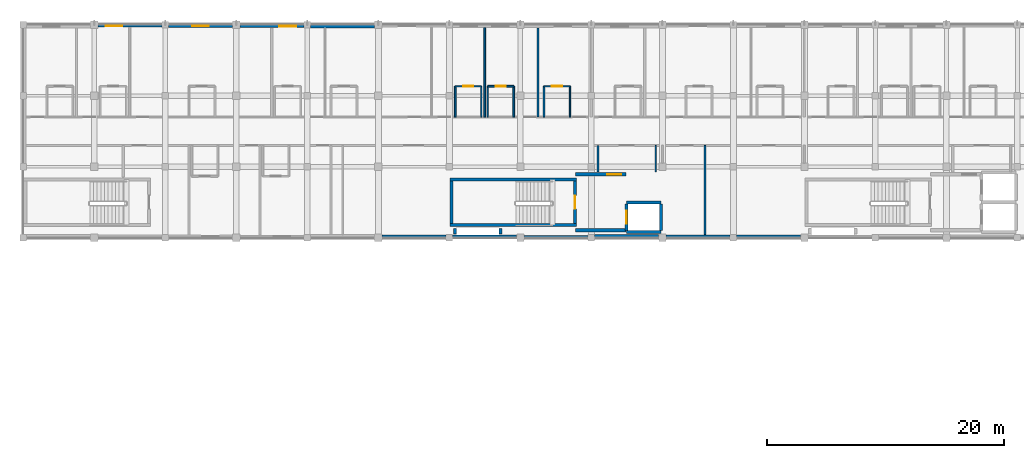
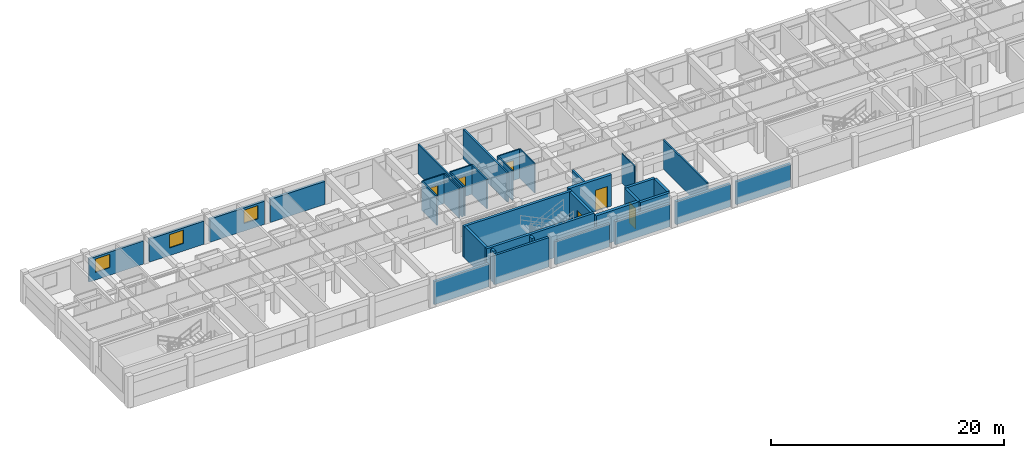
# One storey, part 10 of 22: 36 walls, 6 doors, 3 windows, 9 openings.
"""IFC4 building model written with IfcOpenShell, lengths in metres."""

from ifc_helpers import new_model, si_unit, direction, frame, frame_2d, origin, place, context, subcontext, project, spatial, rectangle, extrude, material, layer, layer_set, type_object, element, fill, save


model = new_model("IFC4")

# Units and contexts
model_context = context("Model", 3, precision=1e-05, world=origin(), true_north=direction((0.0, 1.0)))
body_context = subcontext(model_context, "Body", "Model", "MODEL_VIEW")
ifc_project = project(units=[si_unit("LENGTHUNIT", "METRE"), si_unit("AREAUNIT", "SQUARE_METRE"), si_unit("VOLUMEUNIT", "CUBIC_METRE"), si_unit("PLANEANGLEUNIT", "RADIAN"), si_unit("MASSUNIT", "GRAM", prefix="KILO"), si_unit("THERMODYNAMICTEMPERATUREUNIT", "KELVIN"), si_unit("POWERUNIT", "WATT")], contexts=[model_context])

# Site, building, storey
site_placement = place(None, origin())
site = spatial("IfcSite", under=ifc_project, at=site_placement, CompositionType="ELEMENT")
building_placement = place(site_placement, origin())
building = spatial("IfcBuilding", under=site, at=building_placement, Name="Phaisarnlok Congress Hotel", CompositionType="ELEMENT")
storey_placement = place(building_placement, frame((0.0, 0.0, 28.199951171875)))
storey = spatial("IfcBuildingStorey", under=building, at=storey_placement, Name="L06", CompositionType="ELEMENT", Elevation=28.199951171875)

# Wall, opening, window
ifc_material_1 = material(Name="Concrete C40/50", Category="concrete")
ifc_layer_1 = layer(ifc_material_1, 0.2099609375, Name="Concrete C40/50")
ifc_layer_set_1 = layer_set([ifc_layer_1], Name="Concrete C40/50")
wall_type_1 = type_object("IfcWallType", Name="WL-EXT-210", PredefinedType="SOLIDWALL", material=ifc_layer_set_1)
wall_1_placement = place(storey_placement, frame((77.719970703125, 125.89501953125, 0.0), z_axis=(0.0, 0.0, 1.0), x_axis=(-1.0, 0.0, 0.0)))
wall_1 = element("IfcWall", 1, at=wall_1_placement, inside=storey, type_object=wall_type_1, Name="Exterior wall EW-07 (L06)", PredefinedType="SOLIDWALL", context=body_context, shape_type="SweptSolid", body=[
    extrude(rectangle(XDim=5.4150390625, YDim=0.2099609375, at=frame_2d((2.70751953125, 0.0))), origin(), (0.0, 0.0, 1.0), 2.429931640625),
])
opening_1_placement = place(wall_1_placement, frame((3.35791015625, 0.0, 0.800048828125)))
opening_1 = element("IfcOpeningElement", 2, at=opening_1_placement, cuts=wall_1, Name="Opening W-13", PredefinedType="OPENING", context=body_context, shape_type="SweptSolid", body=[
    extrude(rectangle(XDim=1.39990234375, YDim=1.39990234375, at=frame_2d((0.699951171875, 0.699951171875))), frame((0.0, 0.114990234375, 0.0), z_axis=(0.0, -1.0, 0.0), x_axis=(1.0, 0.0, 0.0)), (0.0, 0.0, 1.0), 0.22998046875),
])
ifc_material_2 = material(Name="Thermally Broken Aluminium & Low-E Double Glazing", Category="aluminium")
window_type = type_object("IfcWindowType", Name="WIN-POD-1400", PartitioningType="SINGLE_PANEL", PredefinedType="WINDOW", material=ifc_material_2)
window_1_placement = place(opening_1_placement, origin())
window_1 = element("IfcWindow", 3, at=window_1_placement, inside=storey, type_object=window_type, Name="Guestroom window W-13 (L06)", OverallHeight=1.39990234375, OverallWidth=1.39990234375, PartitioningType="SINGLE_PANEL", PredefinedType="WINDOW", context=body_context, shape_type="SweptSolid", body=[
    extrude(rectangle(XDim=1.39990234375, YDim=1.39990234375, at=frame_2d((0.699951171875, 0.699951171875))), frame((0.0, 0.030029296875, 0.0), z_axis=(0.0, -1.0, 0.0), x_axis=(1.0, 0.0, 0.0)), (0.0, 0.0, 1.0), 0.06005859375),
])
fill(opening_1, window_1)

# Wall
wall_2_placement = place(storey_placement, frame((108.304931640625, 108.10498046875, 0.0), z_axis=(0.0, 0.0, 1.0), x_axis=(1.0, 0.0, 0.0)))
element("IfcWall", 4, at=wall_2_placement, inside=storey, type_object=wall_type_1, Name="Exterior wall EW-07 (L06)", PredefinedType="SOLIDWALL", context=body_context, shape_type="SweptSolid", body=[
    extrude(rectangle(XDim=5.4150390625, YDim=0.2099609375, at=frame_2d((2.70751953125, 0.0))), origin(), (0.0, 0.0, 1.0), 2.429931640625),
])

# Wall, opening, window
ifc_layer_2 = layer(ifc_material_1, 0.22998046875, Name="Concrete C40/50")
ifc_layer_set_2 = layer_set([ifc_layer_2], Name="Concrete C40/50")
wall_type_2 = type_object("IfcWallType", Name="WL-EXT-230", PredefinedType="SOLIDWALL", material=ifc_layer_set_2)
wall_3_placement = place(storey_placement, frame((83.695068359375, 125.885009765625, 0.0), z_axis=(0.0, 0.0, 1.0), x_axis=(-1.0, 0.0, 0.0)))
wall_3 = element("IfcWall", 5, at=wall_3_placement, inside=storey, type_object=wall_type_2, Name="Exterior wall EW-06 (L06)", PredefinedType="SOLIDWALL", context=body_context, shape_type="SweptSolid", body=[
    extrude(rectangle(XDim=5.4150390625, YDim=0.22998046875, at=frame_2d((2.70751953125, 0.0))), origin(), (0.0, 0.0, 1.0), 2.429931640625),
])
opening_2_placement = place(wall_3_placement, frame((2.007080078125, 0.0, 0.800048828125)))
opening_2 = element("IfcOpeningElement", 6, at=opening_2_placement, cuts=wall_3, Name="Opening W-13", PredefinedType="OPENING", context=body_context, shape_type="SweptSolid", body=[
    extrude(rectangle(XDim=1.39990234375, YDim=1.39990234375, at=frame_2d((0.699951171875, 0.699951171875))), frame((0.0, 0.125, 0.0), z_axis=(0.0, -1.0, 0.0), x_axis=(1.0, 0.0, 0.0)), (0.0, 0.0, 1.0), 0.25),
])
window_2_placement = place(opening_2_placement, origin())
window_2 = element("IfcWindow", 7, at=window_2_placement, inside=storey, type_object=window_type, Name="Guestroom window W-13 (L06)", OverallHeight=1.39990234375, OverallWidth=1.39990234375, PartitioningType="SINGLE_PANEL", PredefinedType="WINDOW", context=body_context, shape_type="SweptSolid", body=[
    extrude(rectangle(XDim=1.39990234375, YDim=1.39990234375, at=frame_2d((0.699951171875, 0.699951171875))), frame((0.0, 0.030029296875, 0.0), z_axis=(0.0, -1.0, 0.0), x_axis=(1.0, 0.0, 0.0)), (0.0, 0.0, 1.0), 0.06005859375),
])
fill(opening_2, window_2)

# Walls
wall_4_placement = place(storey_placement, frame((102.280029296875, 108.114990234375, 0.0), z_axis=(0.0, 0.0, 1.0), x_axis=(1.0, 0.0, 0.0)))
element("IfcWall", 8, at=wall_4_placement, inside=storey, type_object=wall_type_2, Name="Exterior wall EW-06 (L06)", PredefinedType="SOLIDWALL", context=body_context, shape_type="SweptSolid", body=[
    extrude(rectangle(XDim=5.4150390625, YDim=0.22998046875, at=frame_2d((2.70751953125, 0.0))), origin(), (0.0, 0.0, 1.0), 3.080078125),
])
wall_5_placement = place(storey_placement, frame((126.280029296875, 108.114990234375, 0.0), z_axis=(0.0, 0.0, 1.0), x_axis=(1.0, 0.0, 0.0)))
element("IfcWall", 9, at=wall_5_placement, inside=storey, type_object=wall_type_2, Name="Exterior wall EW-06 (L06)", PredefinedType="SOLIDWALL", context=body_context, shape_type="SweptSolid", body=[
    extrude(rectangle(XDim=5.4150390625, YDim=0.22998046875, at=frame_2d((2.70751953125, 0.0))), origin(), (0.0, 0.0, 1.0), 2.429931640625),
])

# Wall, opening, window
ifc_layer_3 = layer(ifc_material_1, 0.25, Name="Concrete C40/50")
ifc_layer_set_3 = layer_set([ifc_layer_3], Name="Concrete C40/50")
wall_type_3 = type_object("IfcWallType", Name="WL-EXT-250", PredefinedType="SOLIDWALL", material=ifc_layer_set_3)
wall_6_placement = place(storey_placement, frame((89.719970703125, 125.875, 0.0), z_axis=(0.0, 0.0, 1.0), x_axis=(-1.0, 0.0, 0.0)))
wall_6 = element("IfcWall", 10, at=wall_6_placement, inside=storey, type_object=wall_type_3, Name="Exterior wall EW-05 (L06)", PredefinedType="SOLIDWALL", context=body_context, shape_type="SweptSolid", body=[
    extrude(rectangle(XDim=5.4150390625, YDim=0.25, at=frame_2d((2.70751953125, 0.0))), origin(), (0.0, 0.0, 1.0), 2.429931640625),
])
opening_3_placement = place(wall_6_placement, frame((0.669921875, 0.0, 0.800048828125)))
opening_3 = element("IfcOpeningElement", 11, at=opening_3_placement, cuts=wall_6, Name="Opening W-13", PredefinedType="OPENING", context=body_context, shape_type="SweptSolid", body=[
    extrude(rectangle(XDim=1.39990234375, YDim=1.39990234375, at=frame_2d((0.699951171875, 0.699951171875))), frame((0.0, 0.135009765625, 0.0), z_axis=(0.0, -1.0, 0.0), x_axis=(1.0, 0.0, 0.0)), (0.0, 0.0, 1.0), 0.27001953125),
])
window_3_placement = place(opening_3_placement, origin())
window_3 = element("IfcWindow", 12, at=window_3_placement, inside=storey, type_object=window_type, Name="Guestroom window W-13 (L06)", OverallHeight=1.39990234375, OverallWidth=1.39990234375, PartitioningType="SINGLE_PANEL", PredefinedType="WINDOW", context=body_context, shape_type="SweptSolid", body=[
    extrude(rectangle(XDim=1.39990234375, YDim=1.39990234375, at=frame_2d((0.699951171875, 0.699951171875))), frame((0.0, 0.030029296875, 0.0), z_axis=(0.0, -1.0, 0.0), x_axis=(1.0, 0.0, 0.0)), (0.0, 0.0, 1.0), 0.06005859375),
])
fill(opening_3, window_3)

# Walls
for number, where, z_axis, x_axis, name in (
    (13, (96.304931640625, 108.125, 0.0), (0.0, 0.0, 1.0), (1.0, 0.0, 0.0), "Exterior wall EW-05 (L06)"),
    (14, (120.304931640625, 108.125, 0.0), (0.0, 0.0, 1.0), (1.0, 0.0, 0.0), "Exterior wall EW-05 (L06)"),
):
    element("IfcWall", number, at=place(storey_placement, frame(where, z_axis=z_axis, x_axis=x_axis)), inside=storey, type_object=wall_type_3, Name=name, PredefinedType="SOLIDWALL", context=body_context, shape_type="SweptSolid", body=[
        extrude(rectangle(XDim=5.4150390625, YDim=0.25, at=frame_2d((2.70751953125, 0.0))), origin(), (0.0, 0.0, 1.0), 2.429931640625),
    ])
ifc_layer_4 = layer(ifc_material_1, 0.27001953125, Name="Concrete C40/50")
ifc_layer_set_4 = layer_set([ifc_layer_4], Name="Concrete C40/50")
wall_type_4 = type_object("IfcWallType", Name="WL-EXT-270", PredefinedType="SOLIDWALL", material=ifc_layer_set_4)
for number, where, z_axis, x_axis, name in (
    (15, (95.695068359375, 125.864990234375, 0.0), (0.0, 0.0, 1.0), (-1.0, 0.0, 0.0), "Exterior wall EW-04 (L06)"),
    (16, (114.280029296875, 108.135009765625, 0.0), (0.0, 0.0, 1.0), (1.0, 0.0, 0.0), "Exterior wall EW-04 (L06)"),
):
    element("IfcWall", number, at=place(storey_placement, frame(where, z_axis=z_axis, x_axis=x_axis)), inside=storey, type_object=wall_type_4, Name=name, PredefinedType="SOLIDWALL", context=body_context, shape_type="SweptSolid", body=[
        extrude(rectangle(XDim=5.4150390625, YDim=0.27001953125, at=frame_2d((2.70751953125, 0.0))), origin(), (0.0, 0.0, 1.0), 2.429931640625),
    ])
ifc_material_3 = material(Name="Service Riser Shaftwall Partition", Category="gypsum")
ifc_layer_5 = layer(ifc_material_3, 0.10498046875, Name="Service Riser Shaftwall Partition")
ifc_layer_set_5 = layer_set([ifc_layer_5], Name="Service Riser Shaftwall Partition")
wall_type_5 = type_object("IfcWallType", Name="WL-INT-105", PredefinedType="PARTITIONING", material=ifc_layer_set_5)
wall_7_placement = place(storey_placement, frame((119.449951171875, 113.56005859375, 0.0), z_axis=(0.0, 0.0, 1.0), x_axis=(0.0, 1.0, 0.0)))
element("IfcWall", 17, at=wall_7_placement, inside=storey, type_object=wall_type_5, Name="Interior partition wall IW-08 (L06)", PredefinedType="PARTITIONING", context=body_context, shape_type="SweptSolid", body=[
    extrude(rectangle(XDim=2.239990234375, YDim=0.10498046875, at=frame_2d((1.1201171875, 0.0))), origin(), (0.0, 0.0, 1.0), 3.080078125),
])
ifc_material_4 = material(Name="Lightweight Metal-Stud Gypsum Partition", Category="gypsum")
ifc_layer_6 = layer(ifc_material_4, 0.1201171875, Name="Lightweight Metal-Stud Gypsum Partition")
ifc_layer_set_6 = layer_set([ifc_layer_6], Name="Lightweight Metal-Stud Gypsum Partition")
wall_type_6 = type_object("IfcWallType", Name="WL-INT-120", PredefinedType="PARTITIONING", material=ifc_layer_set_6)
for number, where, z_axis, x_axis, name in (
    (18, (104.699951171875, 118.199951171875, 0.0), (0.0, 0.0, 1.0), (0.0, 1.0, 0.0), "Interior partition wall IW-07 (L06)"),
    (19, (105.25, 118.199951171875, 0.0), (0.0, 0.0, 1.0), (0.0, 1.0, 0.0), "Interior partition wall IW-07 (L06)"),
    (20, (112.199951171875, 118.199951171875, 0.0), (0.0, 0.0, 1.0), (0.0, 1.0, 0.0), "Interior partition wall IW-07 (L06)"),
):
    element("IfcWall", number, at=place(storey_placement, frame(where, z_axis=z_axis, x_axis=x_axis)), inside=storey, type_object=wall_type_6, Name=name, PredefinedType="PARTITIONING", context=body_context, shape_type="SweptSolid", body=[
        extrude(rectangle(XDim=2.60009765625, YDim=0.1201171875, at=frame_2d((1.300048828125, 0.0))), origin(), (0.0, 0.0, 1.0), 3.080078125),
    ])

# Wall, opening, door
wall_8_placement = place(storey_placement, frame((102.5, 120.800048828125, 0.0), z_axis=(0.0, 0.0, 1.0), x_axis=(1.0, 0.0, 0.0)))
wall_8 = element("IfcWall", 21, at=wall_8_placement, inside=storey, type_object=wall_type_6, Name="Interior partition wall IW-07 (L06)", PredefinedType="PARTITIONING", context=body_context, shape_type="SweptSolid", body=[
    extrude(rectangle(XDim=2.199951171875, YDim=0.1201171875, at=frame_2d((1.10009765625, 0.0))), origin(), (0.0, 0.0, 1.0), 3.080078125),
])
opening_4_placement = place(wall_8_placement, frame((0.675048828125, 0.0, 0.0)))
opening_4 = element("IfcOpeningElement", 22, at=opening_4_placement, cuts=wall_8, Name="Opening D-0243", PredefinedType="OPENING", context=body_context, shape_type="SweptSolid", body=[
    extrude(rectangle(XDim=0.85009765625, YDim=2.10009765625, at=frame_2d((0.425048828125, 1.050048828125))), frame((0.0, 0.070068359375, 0.0), z_axis=(0.0, -1.0, 0.0), x_axis=(1.0, 0.0, 0.0)), (0.0, 0.0, 1.0), 0.14013671875),
])
ifc_material_5 = material(Name="Moisture-Resistant Lacquered Timber", Category="wood")
door_type_1 = type_object("IfcDoorType", Name="DR-BATH-850", OperationType="NOTDEFINED", PredefinedType="DOOR", material=ifc_material_5)
door_1_placement = place(opening_4_placement, origin())
door_1 = element("IfcDoor", 23, at=door_1_placement, inside=storey, type_object=door_type_1, Name="Interior door D-0243 (L06)", OperationType="SINGLE_SWING_RIGHT", OverallHeight=2.10009765625, OverallWidth=0.85009765625, PredefinedType="DOOR", context=body_context, shape_type="SweptSolid", body=[
    extrude(rectangle(XDim=0.85009765625, YDim=2.10009765625, at=frame_2d((0.425048828125, 1.050048828125))), frame((0.0, 0.02490234375, 0.0), z_axis=(0.0, -1.0, 0.0), x_axis=(1.0, 0.0, 0.0)), (0.0, 0.0, 1.0), 0.050048828125),
])
fill(opening_4, door_1)

wall_9_placement = place(storey_placement, frame((110.0, 120.800048828125, 0.0), z_axis=(0.0, 0.0, 1.0), x_axis=(1.0, 0.0, 0.0)))
wall_9 = element("IfcWall", 24, at=wall_9_placement, inside=storey, type_object=wall_type_6, Name="Interior partition wall IW-07 (L06)", PredefinedType="PARTITIONING", context=body_context, shape_type="SweptSolid", body=[
    extrude(rectangle(XDim=2.199951171875, YDim=0.1201171875, at=frame_2d((1.10009765625, 0.0))), origin(), (0.0, 0.0, 1.0), 3.080078125),
])
opening_5_placement = place(wall_9_placement, frame((0.675048828125, 0.0, 0.0)))
opening_5 = element("IfcOpeningElement", 25, at=opening_5_placement, cuts=wall_9, Name="Opening D-0247", PredefinedType="OPENING", context=body_context, shape_type="SweptSolid", body=[
    extrude(rectangle(XDim=0.85009765625, YDim=2.10009765625, at=frame_2d((0.425048828125, 1.050048828125))), frame((0.0, 0.070068359375, 0.0), z_axis=(0.0, -1.0, 0.0), x_axis=(1.0, 0.0, 0.0)), (0.0, 0.0, 1.0), 0.14013671875),
])
door_2_placement = place(opening_5_placement, origin())
door_2 = element("IfcDoor", 26, at=door_2_placement, inside=storey, type_object=door_type_1, Name="Interior door D-0247 (L06)", OperationType="SINGLE_SWING_RIGHT", OverallHeight=2.10009765625, OverallWidth=0.85009765625, PredefinedType="DOOR", context=body_context, shape_type="SweptSolid", body=[
    extrude(rectangle(XDim=0.85009765625, YDim=2.10009765625, at=frame_2d((0.425048828125, 1.050048828125))), frame((0.0, 0.02490234375, 0.0), z_axis=(0.0, -1.0, 0.0), x_axis=(1.0, 0.0, 0.0)), (0.0, 0.0, 1.0), 0.050048828125),
])
fill(opening_5, door_2)

# Walls
ifc_material_6 = material(Name="Moisture-Resistant Gypsum Partition", Category="gypsum")
ifc_layer_7 = layer(ifc_material_6, 0.135009765625, Name="Moisture-Resistant Gypsum Partition")
ifc_layer_set_7 = layer_set([ifc_layer_7], Name="Moisture-Resistant Gypsum Partition")
wall_type_7 = type_object("IfcWallType", Name="WL-INT-135", PredefinedType="PARTITIONING", material=ifc_layer_set_7)
for number, where, z_axis, x_axis, name in (
    (27, (102.5, 118.199951171875, 0.0), (0.0, 0.0, 1.0), (0.0, 1.0, 0.0), "Interior partition wall IW-06 (L06)"),
    (28, (107.449951171875, 118.199951171875, 0.0), (0.0, 0.0, 1.0), (0.0, 1.0, 0.0), "Interior partition wall IW-06 (L06)"),
    (29, (110.0, 118.199951171875, 0.0), (0.0, 0.0, 1.0), (0.0, 1.0, 0.0), "Interior partition wall IW-06 (L06)"),
):
    element("IfcWall", number, at=place(storey_placement, frame(where, z_axis=z_axis, x_axis=x_axis)), inside=storey, type_object=wall_type_7, Name=name, PredefinedType="PARTITIONING", context=body_context, shape_type="SweptSolid", body=[
        extrude(rectangle(XDim=2.60009765625, YDim=0.135009765625, at=frame_2d((1.300048828125, 0.0))), origin(), (0.0, 0.0, 1.0), 3.080078125),
    ])

# Wall, opening, door
wall_10_placement = place(storey_placement, frame((105.25, 120.800048828125, 0.0), z_axis=(0.0, 0.0, 1.0), x_axis=(1.0, 0.0, 0.0)))
wall_10 = element("IfcWall", 30, at=wall_10_placement, inside=storey, type_object=wall_type_7, Name="Interior partition wall IW-06 (L06)", PredefinedType="PARTITIONING", context=body_context, shape_type="SweptSolid", body=[
    extrude(rectangle(XDim=2.199951171875, YDim=0.135009765625, at=frame_2d((1.10009765625, 0.0))), origin(), (0.0, 0.0, 1.0), 3.080078125),
])
opening_6_placement = place(wall_10_placement, frame((0.675048828125, 0.0, 0.0)))
opening_6 = element("IfcOpeningElement", 31, at=opening_6_placement, cuts=wall_10, Name="Opening D-0245", PredefinedType="OPENING", context=body_context, shape_type="SweptSolid", body=[
    extrude(rectangle(XDim=0.85009765625, YDim=2.10009765625, at=frame_2d((0.425048828125, 1.050048828125))), frame((0.0, 0.07763671875, 0.0), z_axis=(0.0, -1.0, 0.0), x_axis=(1.0, 0.0, 0.0)), (0.0, 0.0, 1.0), 0.155029296875),
])
door_3_placement = place(opening_6_placement, origin())
door_3 = element("IfcDoor", 32, at=door_3_placement, inside=storey, type_object=door_type_1, Name="Interior door D-0245 (L06)", OperationType="SINGLE_SWING_RIGHT", OverallHeight=2.10009765625, OverallWidth=0.85009765625, PredefinedType="DOOR", context=body_context, shape_type="SweptSolid", body=[
    extrude(rectangle(XDim=0.85009765625, YDim=2.10009765625, at=frame_2d((0.425048828125, 1.050048828125))), frame((0.0, 0.02490234375, 0.0), z_axis=(0.0, -1.0, 0.0), x_axis=(1.0, 0.0, 0.0)), (0.0, 0.0, 1.0), 0.050048828125),
])
fill(opening_6, door_3)

# Walls
ifc_material_7 = material(Name="Acoustic Gypsum Board & Mineral Wool", Category="gypsum")
ifc_layer_8 = layer(ifc_material_7, 0.14990234375, Name="Acoustic Gypsum Board & Mineral Wool")
ifc_layer_set_8 = layer_set([ifc_layer_8], Name="Acoustic Gypsum Board & Mineral Wool")
wall_type_8 = type_object("IfcWallType", Name="WL-INT-150", PredefinedType="PARTITIONING", material=ifc_layer_set_8)
wall_11_placement = place(storey_placement, frame((105.0, 118.199951171875, 0.0), z_axis=(0.0, 0.0, 1.0), x_axis=(0.0, 1.0, 0.0)))
element("IfcWall", 33, at=wall_11_placement, inside=storey, type_object=wall_type_8, Name="Interior partition wall IW-05 (L06)", PredefinedType="PARTITIONING", context=body_context, shape_type="SweptSolid", body=[
    extrude(rectangle(XDim=7.56494140625, YDim=0.14990234375, at=frame_2d((3.782470703125, 0.0))), origin(), (0.0, 0.0, 1.0), 3.080078125),
])
wall_12_placement = place(storey_placement, frame((123.60009765625, 108.2548828125, 0.0), z_axis=(0.0, 0.0, 1.0), x_axis=(0.0, 1.0, 0.0)))
element("IfcWall", 34, at=wall_12_placement, inside=storey, type_object=wall_type_8, Name="Interior partition wall IW-05 (L06)", PredefinedType="PARTITIONING", context=body_context, shape_type="SweptSolid", body=[
    extrude(rectangle(XDim=7.545166015625, YDim=0.14990234375, at=frame_2d((3.7724609375, 0.0))), origin(), (0.0, 0.0, 1.0), 3.080078125),
])
ifc_material_8 = material(Name="Autoclaved Aerated Concrete Block", Category="concrete")
ifc_layer_9 = layer(ifc_material_8, 0.179931640625, Name="Autoclaved Aerated Concrete Block")
ifc_layer_set_9 = layer_set([ifc_layer_9], Name="Autoclaved Aerated Concrete Block")
wall_type_9 = type_object("IfcWallType", Name="WL-INT-180", PredefinedType="PARTITIONING", material=ifc_layer_set_9)
wall_13_placement = place(storey_placement, frame((109.5, 118.199951171875, 0.0), z_axis=(0.0, 0.0, 1.0), x_axis=(0.0, 1.0, 0.0)))
element("IfcWall", 35, at=wall_13_placement, inside=storey, type_object=wall_type_9, Name="Interior partition wall IW-03 (L06)", PredefinedType="PARTITIONING", context=body_context, shape_type="SweptSolid", body=[
    extrude(rectangle(XDim=7.545166015625, YDim=0.179931640625, at=frame_2d((3.7724609375, 0.0))), origin(), (0.0, 0.0, 1.0), 3.080078125),
])
wall_14_placement = place(storey_placement, frame((114.550048828125, 113.56005859375, 0.0), z_axis=(0.0, 0.0, 1.0), x_axis=(0.0, 1.0, 0.0)))
element("IfcWall", 36, at=wall_14_placement, inside=storey, type_object=wall_type_9, Name="Interior partition wall IW-03 (L06)", PredefinedType="PARTITIONING", context=body_context, shape_type="SweptSolid", body=[
    extrude(rectangle(XDim=2.239990234375, YDim=0.179931640625, at=frame_2d((1.1201171875, 0.0))), origin(), (0.0, 0.0, 1.0), 3.080078125),
])
ifc_material_9 = material(Name="Concrete C50/60", Category="concrete")
ifc_layer_10 = layer(ifc_material_9, 0.260009765625, Name="Concrete C50/60")
ifc_layer_set_10 = layer_set([ifc_layer_10], Name="Concrete C50/60")
wall_type_10 = type_object("IfcWallType", Name="WL-SHR-260", PredefinedType="SHEAR", material=ifc_layer_set_10)
for number, where, z_axis, x_axis, name in (
    (37, (102.0400390625, 109.070068359375, 0.0), (0.0, 0.0, 1.0), (1.0, 0.0, 0.0), "Stair shaft shear wall SW-04 (CORE-4 L06)"),
    (38, (102.0400390625, 112.929931640625, 0.0), (0.0, 0.0, 1.0), (1.0, 0.0, 0.0), "Stair shaft shear wall SW-04 (CORE-4 L06)"),
):
    element("IfcWall", number, at=place(storey_placement, frame(where, z_axis=z_axis, x_axis=x_axis)), inside=storey, type_object=wall_type_10, Name=name, PredefinedType="SHEAR", context=body_context, shape_type="SweptSolid", body=[
        extrude(rectangle(XDim=10.719970703125, YDim=0.260009765625, at=frame_2d((5.35986328125, 0.0))), origin(), (0.0, 0.0, 1.0), 3.300048828125),
    ])
wall_15_placement = place(storey_placement, frame((102.169921875, 109.199951171875, 0.0), z_axis=(0.0, 0.0, 1.0), x_axis=(0.0, 1.0, 0.0)))
element("IfcWall", 39, at=wall_15_placement, inside=storey, type_object=wall_type_10, Name="Stair shaft shear wall SW-04 (CORE-4 L06)", PredefinedType="SHEAR", context=body_context, shape_type="SweptSolid", body=[
    extrude(rectangle(XDim=3.60009765625, YDim=0.260009765625, at=frame_2d((1.800048828125, 0.0))), origin(), (0.0, 0.0, 1.0), 3.300048828125),
])

# Wall, opening, door
wall_16_placement = place(storey_placement, frame((112.6298828125, 109.199951171875, 0.0), z_axis=(0.0, 0.0, 1.0), x_axis=(0.0, 1.0, 0.0)))
wall_16 = element("IfcWall", 40, at=wall_16_placement, inside=storey, type_object=wall_type_10, Name="Stair shaft shear wall SW-04 (CORE-4 L06)", PredefinedType="SHEAR", context=body_context, shape_type="SweptSolid", body=[
    extrude(rectangle(XDim=3.60009765625, YDim=0.260009765625, at=frame_2d((1.800048828125, 0.0))), origin(), (0.0, 0.0, 1.0), 3.300048828125),
])
opening_7_placement = place(wall_16_placement, frame((1.25, 0.0, 0.0)))
opening_7 = element("IfcOpeningElement", 41, at=opening_7_placement, cuts=wall_16, Name="Opening FD-098", PredefinedType="OPENING", context=body_context, shape_type="SweptSolid", body=[
    extrude(rectangle(XDim=1.10009765625, YDim=2.14990234375, at=frame_2d((0.550048828125, 1.074951171875))), frame((0.0, 0.14013671875, 0.0), z_axis=(0.0, -1.0, 0.0), x_axis=(1.0, 0.0, 0.0)), (0.0, 0.0, 1.0), 0.280029296875),
])
ifc_material_10 = material(Name="Fire-Rated Steel Frame & Timber Leaf", Category="steel")
door_type_2 = type_object("IfcDoorType", Name="DR-FD60-1100", OperationType="NOTDEFINED", PredefinedType="DOOR", material=ifc_material_10)
door_4_placement = place(opening_7_placement, origin())
door_4 = element("IfcDoor", 42, at=door_4_placement, inside=storey, type_object=door_type_2, Name="Stair enclosure fire door FD-098 (L06)", OperationType="SINGLE_SWING_LEFT", OverallHeight=2.14990234375, OverallWidth=1.10009765625, PredefinedType="DOOR", context=body_context, shape_type="SweptSolid", body=[
    extrude(rectangle(XDim=1.10009765625, YDim=2.14990234375, at=frame_2d((0.550048828125, 1.074951171875))), frame((0.0, 0.02490234375, 0.0), z_axis=(0.0, -1.0, 0.0), x_axis=(1.0, 0.0, 0.0)), (0.0, 0.0, 1.0), 0.050048828125),
])
fill(opening_7, door_4)

# Walls
for number, where, z_axis, x_axis, name in (
    (43, (116.969970703125, 108.469970703125, 0.0), (0.0, 0.0, 1.0), (1.0, 0.0, 0.0), "Lift shaft shear wall SW-04 (LF-HP4 L06)"),
    (44, (116.969970703125, 110.97998046875, 0.0), (0.0, 0.0, 1.0), (1.0, 0.0, 0.0), "Lift shaft shear wall SW-04 (LF-HP4 L06)"),
):
    element("IfcWall", number, at=place(storey_placement, frame(where, z_axis=z_axis, x_axis=x_axis)), inside=storey, type_object=wall_type_10, Name=name, PredefinedType="SHEAR", context=body_context, shape_type="SweptSolid", body=[
        extrude(rectangle(XDim=2.909912109375, YDim=0.260009765625, at=frame_2d((1.455078125, 0.0))), origin(), (0.0, 0.0, 1.0), 3.300048828125),
    ])
wall_17_placement = place(storey_placement, frame((119.8798828125, 108.60009765625, 0.0), z_axis=(0.0, 0.0, 1.0), x_axis=(0.0, 1.0, 0.0)))
element("IfcWall", 45, at=wall_17_placement, inside=storey, type_object=wall_type_10, Name="Lift shaft shear wall SW-04 (LF-HP4 L06)", PredefinedType="SHEAR", context=body_context, shape_type="SweptSolid", body=[
    extrude(rectangle(XDim=2.25, YDim=0.260009765625, at=frame_2d((1.125, 0.0))), origin(), (0.0, 0.0, 1.0), 3.300048828125),
])

# Wall, opening, door
wall_18_placement = place(storey_placement, frame((116.969970703125, 108.60009765625, 0.0), z_axis=(0.0, 0.0, 1.0), x_axis=(0.0, 1.0, 0.0)))
wall_18 = element("IfcWall", 46, at=wall_18_placement, inside=storey, type_object=wall_type_10, Name="Lift shaft front wall SW-04 (LF-HP4 L06)", PredefinedType="SHEAR", context=body_context, shape_type="SweptSolid", body=[
    extrude(rectangle(XDim=2.25, YDim=0.260009765625, at=frame_2d((1.125, 0.0))), origin(), (0.0, 0.0, 1.0), 3.300048828125),
])
opening_8_placement = place(wall_18_placement, frame((0.574951171875, 0.0, 0.0)))
opening_8 = element("IfcOpeningElement", 47, at=opening_8_placement, cuts=wall_18, Name="Opening LD-098", PredefinedType="OPENING", context=body_context, shape_type="SweptSolid", body=[
    extrude(rectangle(XDim=1.10009765625, YDim=2.199951171875, at=frame_2d((0.550048828125, 1.10009765625))), frame((0.0, 0.14013671875, 0.0), z_axis=(0.0, -1.0, 0.0), x_axis=(1.0, 0.0, 0.0)), (0.0, 0.0, 1.0), 0.280029296875),
])
ifc_material_11 = material(Name="Brushed Stainless Steel Grade 304", Category="steel")
door_type_3 = type_object("IfcDoorType", Name="DR-LD-1100", OperationType="DOUBLE_DOOR_SLIDING", PredefinedType="DOOR", material=ifc_material_11)
door_5_placement = place(opening_8_placement, origin())
door_5 = element("IfcDoor", 48, at=door_5_placement, inside=storey, type_object=door_type_3, Name="Lift landing sliding door LD-098 (LF-HP4 L06)", OperationType="DOUBLE_DOOR_SLIDING", OverallHeight=2.199951171875, OverallWidth=1.10009765625, PredefinedType="DOOR", context=body_context, shape_type="SweptSolid", body=[
    extrude(rectangle(XDim=1.10009765625, YDim=2.199951171875, at=frame_2d((0.550048828125, 1.10009765625))), frame((0.0, 0.02490234375, 0.0), z_axis=(0.0, -1.0, 0.0), x_axis=(1.0, 0.0, 0.0)), (0.0, 0.0, 1.0), 0.050048828125),
])
fill(opening_8, door_5)

# Walls
for number, where, z_axis, x_axis, name in (
    (49, (102.469970703125, 108.330078125, 0.0), (0.0, 0.0, 1.0), (0.0, 1.0, 0.0), "Service riser shaft wall SW-04 (CORE-4 L06)"),
    (50, (106.330078125, 108.330078125, 0.0), (0.0, 0.0, 1.0), (0.0, 1.0, 0.0), "Service riser shaft wall SW-04 (CORE-4 L06)"),
):
    element("IfcWall", number, at=place(storey_placement, frame(where, z_axis=z_axis, x_axis=x_axis)), inside=storey, type_object=wall_type_10, Name=name, PredefinedType="SHEAR", context=body_context, shape_type="SweptSolid", body=[
        extrude(rectangle(XDim=0.43994140625, YDim=0.260009765625, at=frame_2d((0.219970703125, 0.0))), origin(), (0.0, 0.0, 1.0), 3.300048828125),
    ])

# Wall, opening, door
ifc_layer_11 = layer(ifc_material_9, 0.300048828125, Name="Concrete C50/60")
ifc_layer_set_11 = layer_set([ifc_layer_11], Name="Concrete C50/60")
wall_type_11 = type_object("IfcWallType", Name="WL-SHR-300", PredefinedType="SHEAR", material=ifc_layer_set_11)
wall_19_placement = place(storey_placement, frame((112.679931640625, 113.35009765625, 0.0), z_axis=(0.0, 0.0, 1.0), x_axis=(1.0, 0.0, 0.0)))
wall_19 = element("IfcWall", 51, at=wall_19_placement, inside=storey, type_object=wall_type_11, Name="Core lobby EI-120 wall SW-03 (CORE-4 L06)", PredefinedType="SHEAR", context=body_context, shape_type="SweptSolid", body=[
    extrude(rectangle(XDim=4.239990234375, YDim=0.300048828125, at=frame_2d((2.1201171875, 0.0))), origin(), (0.0, 0.0, 1.0), 3.300048828125),
])
opening_9_placement = place(wall_19_placement, frame((2.64990234375, 0.0, 0.0)))
opening_9 = element("IfcOpeningElement", 52, at=opening_9_placement, cuts=wall_19, Name="Opening FD-113", PredefinedType="OPENING", context=body_context, shape_type="SweptSolid", body=[
    extrude(rectangle(XDim=1.199951171875, YDim=2.199951171875, at=frame_2d((0.60009765625, 1.10009765625))), frame((0.0, 0.16015625, 0.0), z_axis=(0.0, -1.0, 0.0), x_axis=(1.0, 0.0, 0.0)), (0.0, 0.0, 1.0), 0.320068359375),
])
door_type_4 = type_object("IfcDoorType", Name="DR-FD60-1200", OperationType="NOTDEFINED", PredefinedType="DOOR", material=ifc_material_10)
door_6_placement = place(opening_9_placement, origin())
door_6 = element("IfcDoor", 53, at=door_6_placement, inside=storey, type_object=door_type_4, Name="Firefighting lobby entrance door FD-113 (CORE-4 L06)", OperationType="SINGLE_SWING_RIGHT", OverallHeight=2.199951171875, OverallWidth=1.199951171875, PredefinedType="DOOR", context=body_context, shape_type="SweptSolid", body=[
    extrude(rectangle(XDim=1.199951171875, YDim=2.199951171875, at=frame_2d((0.60009765625, 1.10009765625))), frame((0.0, 0.02490234375, 0.0), z_axis=(0.0, -1.0, 0.0), x_axis=(1.0, 0.0, 0.0)), (0.0, 0.0, 1.0), 0.050048828125),
])
fill(opening_9, door_6)

# Wall
wall_20_placement = place(storey_placement, frame((112.679931640625, 108.64990234375, 0.0), z_axis=(0.0, 0.0, 1.0), x_axis=(1.0, 0.0, 0.0)))
element("IfcWall", 54, at=wall_20_placement, inside=storey, type_object=wall_type_11, Name="Core lobby EI-120 wall SW-03 (CORE-4 L06)", PredefinedType="SHEAR", context=body_context, shape_type="SweptSolid", body=[
    extrude(rectangle(XDim=4.239990234375, YDim=0.300048828125, at=frame_2d((2.1201171875, 0.0))), origin(), (0.0, 0.0, 1.0), 3.300048828125),
])

save(model, "model.ifc")
